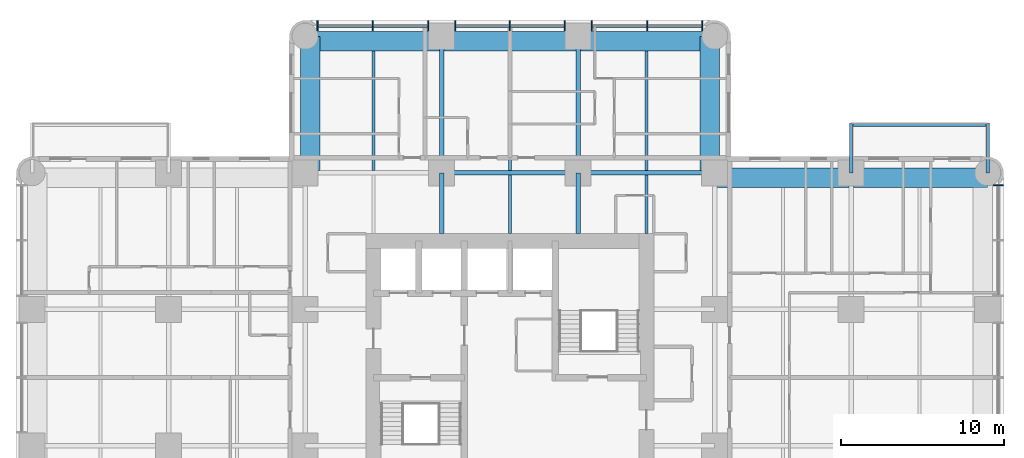
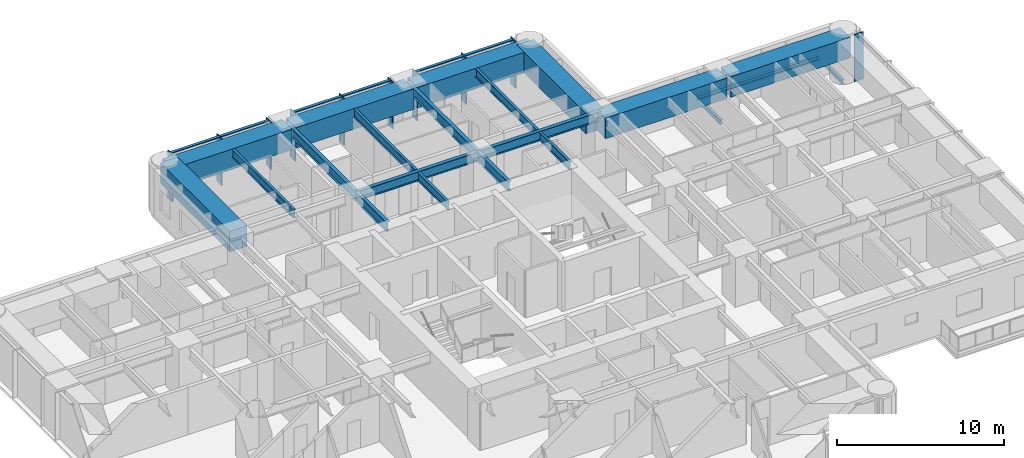
# One storey, part 4 of 14: 21 beams, 16 members, 2 elements without a shape of their own.
"""IFC4 building model written with IfcOpenShell, lengths in metres."""

from ifc_helpers import new_model, si_unit, direction, frame, origin, origin_2d, place, context, subcontext, project, spatial, rectangle, i_section, extrude, material, material_profile, profile_set, type_object, element, aggregate, save


model = new_model("IFC4")

# Units and contexts
model_context = context("Model", 3, precision=1e-05, world=origin(), true_north=direction((0.0, 1.0)))
body_context = subcontext(model_context, "Body", "Model", "MODEL_VIEW")
ifc_project = project(units=[si_unit("LENGTHUNIT", "METRE"), si_unit("AREAUNIT", "SQUARE_METRE"), si_unit("VOLUMEUNIT", "CUBIC_METRE"), si_unit("PLANEANGLEUNIT", "RADIAN"), si_unit("MASSUNIT", "GRAM", prefix="KILO")], contexts=[model_context])

# Site, building, storey
site_placement = place(None, origin())
site = spatial("IfcSite", under=ifc_project, at=site_placement, CompositionType="ELEMENT")
building_placement = place(site_placement, origin())
building = spatial("IfcBuilding", under=site, at=building_placement, Name="Torre Alcanfor", CompositionType="ELEMENT")
storey_placement = place(building_placement, frame((0.0, 0.0, 130.5)))
storey = spatial("IfcBuildingStorey", under=building, at=storey_placement, Name="L33", CompositionType="ELEMENT", Elevation=130.5)

# Beams
ifc_material_1 = material(Name="Steel ASTM A992 Grade 50", Category="steel")
ifc_material_profile_1 = material_profile(ifc_material_1, i_section(OverallWidth=0.205322265625, OverallDepth=0.309814453125, WebThickness=0.00927734375, FlangeThickness=0.016357421875, at=origin_2d()), Name="W12x50")
ifc_profile_set_1 = profile_set([ifc_material_profile_1], Name="Steel ASTM A992 Grade 50")
beam_type_1 = type_object("IfcBeamType", Name="Balcony cantilever beam W12x50", PredefinedType="BEAM", material=ifc_profile_set_1)
for number, where, z_axis, x_axis, name in (
    (1, (50.39990234375, 42.0, -0.35498046875), (0.0, 1.0, 0.0), (-1.0, 0.0, 0.0), "Balcony cantilever beam L33-E1 1"),
    (2, (58.800048828125, 42.0, -0.35498046875), (0.0, 1.0, 0.0), (-1.0, 0.0, 0.0), "Balcony cantilever beam L33-E1 2"),
):
    element("IfcBeam", number, at=place(storey_placement, frame(where, z_axis=z_axis, x_axis=x_axis)), inside=storey, type_object=beam_type_1, Name=name, PredefinedType="BEAM", context=body_context, shape_type="SweptSolid", body=[
        extrude(i_section(OverallWidth=0.205322265625, OverallDepth=0.309814453125, WebThickness=0.00927734375, FlangeThickness=0.016357421875, at=origin_2d()), origin(), (0.0, 0.0, 1.0), 3.050048828125),
    ])
ifc_material_2 = material(Name="Steel ASTM A992 Grade 50", Category="steel")
ifc_material_profile_2 = material_profile(ifc_material_2, i_section(OverallWidth=0.203369140625, OverallDepth=0.30224609375, WebThickness=0.007568359375, FlangeThickness=0.01318359375, at=origin_2d()), Name="W12x40")
ifc_profile_set_2 = profile_set([ifc_material_profile_2], Name="Steel ASTM A992 Grade 50")
beam_type_2 = type_object("IfcBeamType", Name="Balcony edge trimmer W12x40", PredefinedType="BEAM", material=ifc_profile_set_2)
beam_1_placement = place(storey_placement, frame((50.39990234375, 44.9482421875, -0.35107421875), z_axis=(1.0, 0.0, 0.0), x_axis=(0.0, 1.0, 0.0)))
element("IfcBeam", 3, at=beam_1_placement, inside=storey, type_object=beam_type_2, Name="Balcony edge trimmer L33-E1", PredefinedType="BEAM", context=body_context, shape_type="SweptSolid", body=[
    extrude(i_section(OverallWidth=0.203369140625, OverallDepth=0.30224609375, WebThickness=0.007568359375, FlangeThickness=0.01318359375, at=origin_2d()), origin(), (0.0, 0.0, 1.0), 8.400146484375),
])

# Curtain wall, member
ifc_material_3 = material(Name="Aluminium and glass", Category="aluminium")
curtain_wall_type = type_object("IfcCurtainWallType", Name="CW-A unitised apartment glazing with vertical FIN", PredefinedType="NOTDEFINED", material=ifc_material_3)
curtain_wall_1_placement = place(storey_placement, origin())
curtain_wall_1 = element("IfcCurtainWall", 4, at=curtain_wall_1_placement, inside=storey, type_object=curtain_wall_type, Name="Curtain wall CW-A L33 8", PredefinedType="NOTDEFINED")
ifc_material_4 = material(Name="Bronze anodised aluminium", Category="aluminium")
ifc_material_profile_3 = material_profile(ifc_material_4, rectangle(XDim=0.60009765625, YDim=0.06494140625, at=origin_2d()), Name="CW-A mullion 65x600")
ifc_profile_set_3 = profile_set([ifc_material_profile_3], Name="Bronze anodised aluminium")
member_type_1 = type_object("IfcMemberType", Name="CW-A mullion with vertical FIN 65x600", PredefinedType="MULLION", material=ifc_profile_set_3)
member_1_placement = place(storey_placement, frame((59.449951171875, 41.24267578125, 0.0), z_axis=(0.0, 0.0, 1.0), x_axis=(-1.0, 0.0, 0.0)))
member_1 = element("IfcMember", 5, at=member_1_placement, type_object=member_type_1, Name="CW-A mullion 3.3", PredefinedType="MULLION", context=body_context, shape_type="SweptSolid", body=[
    extrude(rectangle(XDim=0.60009765625, YDim=0.06494140625, at=origin_2d()), origin(), (0.0, 0.0, 1.0), 3.449951171875),
])
aggregate(curtain_wall_1, [member_1])

# Curtain wall, members
curtain_wall_2_placement = place(storey_placement, origin())
curtain_wall_2 = element("IfcCurtainWall", 6, at=curtain_wall_2_placement, inside=storey, type_object=curtain_wall_type, Name="Curtain wall CW-A L33 11", PredefinedType="NOTDEFINED")
member_2_placement = place(storey_placement, frame((41.24267578125, 51.050048828125, 0.0), z_axis=(0.0, 0.0, 1.0), x_axis=(0.0, -1.0, 0.0)))
member_2 = element("IfcMember", 7, at=member_2_placement, type_object=member_type_1, Name="CW-A mullion 1.1", PredefinedType="MULLION", context=body_context, shape_type="SweptSolid", body=[
    extrude(rectangle(XDim=0.60009765625, YDim=0.06494140625, at=origin_2d()), origin(), (0.0, 0.0, 1.0), 3.449951171875),
])
member_3_placement = place(storey_placement, frame((37.840087890625, 51.050048828125, 0.0), z_axis=(0.0, 0.0, 1.0), x_axis=(0.0, -1.0, 0.0)))
member_3 = element("IfcMember", 8, at=member_3_placement, type_object=member_type_1, Name="CW-A mullion 1.2", PredefinedType="MULLION", context=body_context, shape_type="SweptSolid", body=[
    extrude(rectangle(XDim=0.60009765625, YDim=0.06494140625, at=origin_2d()), origin(), (0.0, 0.0, 1.0), 3.449951171875),
])
member_4_placement = place(storey_placement, frame((34.4375, 51.050048828125, 0.0), z_axis=(0.0, 0.0, 1.0), x_axis=(0.0, -1.0, 0.0)))
member_4 = element("IfcMember", 9, at=member_4_placement, type_object=member_type_1, Name="CW-A mullion 1.3", PredefinedType="MULLION", context=body_context, shape_type="SweptSolid", body=[
    extrude(rectangle(XDim=0.60009765625, YDim=0.06494140625, at=origin_2d()), origin(), (0.0, 0.0, 1.0), 3.449951171875),
])
member_5_placement = place(storey_placement, frame((32.762451171875, 51.050048828125, 0.0), z_axis=(0.0, 0.0, 1.0), x_axis=(0.0, -1.0, 0.0)))
member_5 = element("IfcMember", 10, at=member_5_placement, type_object=member_type_1, Name="CW-A mullion 2.1", PredefinedType="MULLION", context=body_context, shape_type="SweptSolid", body=[
    extrude(rectangle(XDim=0.60009765625, YDim=0.06494140625, at=origin_2d()), origin(), (0.0, 0.0, 1.0), 3.449951171875),
])
member_6_placement = place(storey_placement, frame((29.39990234375, 51.050048828125, 0.0), z_axis=(0.0, 0.0, 1.0), x_axis=(0.0, -1.0, 0.0)))
member_6 = element("IfcMember", 11, at=member_6_placement, type_object=member_type_1, Name="CW-A mullion 2.2", PredefinedType="MULLION", context=body_context, shape_type="SweptSolid", body=[
    extrude(rectangle(XDim=0.60009765625, YDim=0.06494140625, at=origin_2d()), origin(), (0.0, 0.0, 1.0), 3.449951171875),
])
member_7_placement = place(storey_placement, frame((26.03759765625, 51.050048828125, 0.0), z_axis=(0.0, 0.0, 1.0), x_axis=(0.0, -1.0, 0.0)))
member_7 = element("IfcMember", 12, at=member_7_placement, type_object=member_type_1, Name="CW-A mullion 2.3", PredefinedType="MULLION", context=body_context, shape_type="SweptSolid", body=[
    extrude(rectangle(XDim=0.60009765625, YDim=0.06494140625, at=origin_2d()), origin(), (0.0, 0.0, 1.0), 3.449951171875),
])
member_8_placement = place(storey_placement, frame((24.362548828125, 51.050048828125, 0.0), z_axis=(0.0, 0.0, 1.0), x_axis=(0.0, -1.0, 0.0)))
member_8 = element("IfcMember", 13, at=member_8_placement, type_object=member_type_1, Name="CW-A mullion 3.1", PredefinedType="MULLION", context=body_context, shape_type="SweptSolid", body=[
    extrude(rectangle(XDim=0.60009765625, YDim=0.06494140625, at=origin_2d()), origin(), (0.0, 0.0, 1.0), 3.449951171875),
])
member_9_placement = place(storey_placement, frame((20.9599609375, 51.050048828125, 0.0), z_axis=(0.0, 0.0, 1.0), x_axis=(0.0, -1.0, 0.0)))
member_9 = element("IfcMember", 14, at=member_9_placement, type_object=member_type_1, Name="CW-A mullion 3.2", PredefinedType="MULLION", context=body_context, shape_type="SweptSolid", body=[
    extrude(rectangle(XDim=0.60009765625, YDim=0.06494140625, at=origin_2d()), origin(), (0.0, 0.0, 1.0), 3.449951171875),
])
member_10_placement = place(storey_placement, frame((17.557373046875, 51.050048828125, 0.0), z_axis=(0.0, 0.0, 1.0), x_axis=(0.0, -1.0, 0.0)))
member_10 = element("IfcMember", 15, at=member_10_placement, type_object=member_type_1, Name="CW-A mullion 3.3", PredefinedType="MULLION", context=body_context, shape_type="SweptSolid", body=[
    extrude(rectangle(XDim=0.60009765625, YDim=0.06494140625, at=origin_2d()), origin(), (0.0, 0.0, 1.0), 3.449951171875),
])
ifc_material_5 = material(Name="Extruded aluminium", Category="aluminium")
ifc_material_profile_4 = material_profile(ifc_material_5, rectangle(XDim=0.199951171875, YDim=0.06494140625, at=origin_2d()), Name="CW-A transom 200x65")
ifc_profile_set_4 = profile_set([ifc_material_profile_4], Name="Extruded aluminium")
member_type_2 = type_object("IfcMemberType", Name="CW-A transom 65x200", PredefinedType="USERDEFINED", material=ifc_profile_set_4)
member_11_placement = place(storey_placement, frame((41.210205078125, 51.050048828125, 3.41748046875), z_axis=(-1.0, 0.0, 0.0), x_axis=(0.0, -1.0, 0.0)))
member_11 = element("IfcMember", 16, at=member_11_placement, type_object=member_type_2, Name="CW-A transom 1.1.2", ObjectType="TRANSOM", PredefinedType="USERDEFINED", context=body_context, shape_type="SweptSolid", body=[
    extrude(rectangle(XDim=0.199951171875, YDim=0.06494140625, at=origin_2d()), origin(), (0.0, 0.0, 1.0), 3.337646484375),
])
member_12_placement = place(storey_placement, frame((37.8076171875, 51.050048828125, 3.41748046875), z_axis=(-1.0, 0.0, 0.0), x_axis=(0.0, -1.0, 0.0)))
member_12 = element("IfcMember", 17, at=member_12_placement, type_object=member_type_2, Name="CW-A transom 1.2.2", ObjectType="TRANSOM", PredefinedType="USERDEFINED", context=body_context, shape_type="SweptSolid", body=[
    extrude(rectangle(XDim=0.199951171875, YDim=0.06494140625, at=origin_2d()), origin(), (0.0, 0.0, 1.0), 3.337646484375),
])
member_13_placement = place(storey_placement, frame((32.72998046875, 51.050048828125, 3.41748046875), z_axis=(-1.0, 0.0, 0.0), x_axis=(0.0, -1.0, 0.0)))
member_13 = element("IfcMember", 18, at=member_13_placement, type_object=member_type_2, Name="CW-A transom 2.1.2", ObjectType="TRANSOM", PredefinedType="USERDEFINED", context=body_context, shape_type="SweptSolid", body=[
    extrude(rectangle(XDim=0.199951171875, YDim=0.06494140625, at=origin_2d()), origin(), (0.0, 0.0, 1.0), 3.29736328125),
])
member_14_placement = place(storey_placement, frame((29.367431640625, 51.050048828125, 3.41748046875), z_axis=(-1.0, 0.0, 0.0), x_axis=(0.0, -1.0, 0.0)))
member_14 = element("IfcMember", 19, at=member_14_placement, type_object=member_type_2, Name="CW-A transom 2.2.2", ObjectType="TRANSOM", PredefinedType="USERDEFINED", context=body_context, shape_type="SweptSolid", body=[
    extrude(rectangle(XDim=0.199951171875, YDim=0.06494140625, at=origin_2d()), origin(), (0.0, 0.0, 1.0), 3.29736328125),
])
member_15_placement = place(storey_placement, frame((24.330078125, 51.050048828125, 3.41748046875), z_axis=(-1.0, 0.0, 0.0), x_axis=(0.0, -1.0, 0.0)))
member_15 = element("IfcMember", 20, at=member_15_placement, type_object=member_type_2, Name="CW-A transom 3.1.2", ObjectType="TRANSOM", PredefinedType="USERDEFINED", context=body_context, shape_type="SweptSolid", body=[
    extrude(rectangle(XDim=0.199951171875, YDim=0.06494140625, at=origin_2d()), origin(), (0.0, 0.0, 1.0), 3.337646484375),
])
member_16_placement = place(storey_placement, frame((20.927490234375, 51.050048828125, 3.41748046875), z_axis=(-1.0, 0.0, 0.0), x_axis=(0.0, -1.0, 0.0)))
member_16 = element("IfcMember", 21, at=member_16_placement, type_object=member_type_2, Name="CW-A transom 3.2.2", ObjectType="TRANSOM", PredefinedType="USERDEFINED", context=body_context, shape_type="SweptSolid", body=[
    extrude(rectangle(XDim=0.199951171875, YDim=0.06494140625, at=origin_2d()), origin(), (0.0, 0.0, 1.0), 3.337646484375),
])
aggregate(curtain_wall_2, [member_2, member_3, member_4, member_11, member_12, member_5, member_6, member_7, member_13, member_14, member_8, member_9, member_10, member_15, member_16])

# Beams
ifc_material_6 = material(Name="Steel ASTM A992 Grade 50", Category="steel")
ifc_material_profile_5 = material_profile(ifc_material_6, i_section(OverallWidth=0.25390625, OverallDepth=0.683349609375, WebThickness=0.012451171875, FlangeThickness=0.01904296875, at=origin_2d()), Name="W27x94")
ifc_profile_set_5 = profile_set([ifc_material_profile_5], Name="Steel ASTM A992 Grade 50")
beam_type_3 = type_object("IfcBeamType", Name="Girder W27x94", PredefinedType="BEAM", material=ifc_profile_set_5)
beam_2_placement = place(storey_placement, frame((25.199951171875, 42.0, 3.1083984375), z_axis=(1.0, 0.0, 0.0), x_axis=(0.0, 1.0, 0.0)))
element("IfcBeam", 22, at=beam_2_placement, inside=storey, type_object=beam_type_3, Name="Beam 4H-5H under L34", PredefinedType="BEAM", context=body_context, shape_type="SweptSolid", body=[
    extrude(i_section(OverallWidth=0.25390625, OverallDepth=0.683349609375, WebThickness=0.012451171875, FlangeThickness=0.01904296875, at=origin_2d()), origin(), (0.0, 0.0, 1.0), 8.400146484375),
])
for number, where, z_axis, x_axis, name in (
    (23, (33.60009765625, 42.0, 3.1083984375), (1.0, 0.0, 0.0), (0.0, 1.0, 0.0), "Beam 5H-6H under L34"),
    (24, (25.199951171875, 42.0, 3.1083984375), (0.0, 1.0, 0.0), (-1.0, 0.0, 0.0), "Beam 4H-4J under L34"),
    (25, (33.60009765625, 42.0, 3.1083984375), (0.0, 1.0, 0.0), (-1.0, 0.0, 0.0), "Beam 5H-5J under L34"),
):
    element("IfcBeam", number, at=place(storey_placement, frame(where, z_axis=z_axis, x_axis=x_axis)), inside=storey, type_object=beam_type_3, Name=name, PredefinedType="BEAM", context=body_context, shape_type="SweptSolid", body=[
        extrude(i_section(OverallWidth=0.25390625, OverallDepth=0.683349609375, WebThickness=0.012451171875, FlangeThickness=0.01904296875, at=origin_2d()), origin(), (0.0, 0.0, 1.0), 8.39990234375),
    ])
ifc_material_7 = material(Name="Steel ASTM A992 Grade 50", Category="steel")
ifc_material_profile_6 = material_profile(ifc_material_7, i_section(OverallWidth=0.25390625, OverallDepth=0.683349609375, WebThickness=0.012451171875, FlangeThickness=0.01904296875, at=origin_2d()), Name="W27x94")
ifc_profile_set_6 = profile_set([ifc_material_profile_6], Name="Steel ASTM A992 Grade 50")
beam_type_4 = type_object("IfcBeamType", Name="Girder, part bay W27x94", PredefinedType="BEAM", material=ifc_profile_set_6)
for number, where, z_axis, x_axis, name in (
    (26, (25.199951171875, 42.0, 3.1083984375), (0.0, -1.0, 0.0), (1.0, 0.0, 0.0), "Beam 4H-438_25 under L34"),
    (27, (33.60009765625, 42.0, 3.1083984375), (0.0, -1.0, 0.0), (1.0, 0.0, 0.0), "Beam 5H-538_25 under L34"),
):
    element("IfcBeam", number, at=place(storey_placement, frame(where, z_axis=z_axis, x_axis=x_axis)), inside=storey, type_object=beam_type_4, Name=name, PredefinedType="BEAM", context=body_context, shape_type="SweptSolid", body=[
        extrude(i_section(OverallWidth=0.25390625, OverallDepth=0.683349609375, WebThickness=0.012451171875, FlangeThickness=0.01904296875, at=origin_2d()), origin(), (0.0, 0.0, 1.0), 3.75),
    ])
ifc_material_8 = material(Name="Concrete f'c 70 MPa", Category="concrete")
ifc_material_profile_7 = material_profile(ifc_material_8, rectangle(XDim=1.199951171875, YDim=1.5, at=origin_2d()), Name="1200x1500")
ifc_profile_set_7 = profile_set([ifc_material_profile_7], Name="Concrete f'c 70 MPa")
beam_type_5 = type_object("IfcBeamType", Name="RC perimeter beam 1200x1500", PredefinedType="BEAM", material=ifc_profile_set_7)
beam_3_placement = place(storey_placement, frame((41.873046875, 41.699951171875, 2.699951171875), z_axis=(1.0, 0.0, 0.0), x_axis=(0.0, 1.0, 0.0)))
element("IfcBeam", 28, at=beam_3_placement, inside=storey, type_object=beam_type_5, Name="Beam 6H-7H under L34", PredefinedType="BEAM", context=body_context, shape_type="SweptSolid", body=[
    extrude(rectangle(XDim=1.199951171875, YDim=1.5, at=origin_2d()), origin(), (0.0, 0.0, 1.0), 8.39990234375),
])
for number, where, z_axis, x_axis, name in (
    (29, (50.527099609375, 41.699951171875, 2.699951171875), (1.0, 0.0, 0.0), (0.0, 1.0, 0.0), "Beam 7H-8H under L34"),
    (30, (16.800048828125, 50.10009765625, 2.699951171875), (1.0, 0.0, 0.0), (0.0, 1.0, 0.0), "Beam 3J-4J under L34"),
):
    element("IfcBeam", number, at=place(storey_placement, frame(where, z_axis=z_axis, x_axis=x_axis)), inside=storey, type_object=beam_type_5, Name=name, PredefinedType="BEAM", context=body_context, shape_type="SweptSolid", body=[
        extrude(rectangle(XDim=1.199951171875, YDim=1.5, at=origin_2d()), origin(), (0.0, 0.0, 1.0), 8.27294921875),
    ])
beam_4_placement = place(storey_placement, frame((25.326904296875, 50.10009765625, 2.699951171875), z_axis=(1.0, 0.0, 0.0), x_axis=(0.0, 1.0, 0.0)))
element("IfcBeam", 31, at=beam_4_placement, inside=storey, type_object=beam_type_5, Name="Beam 4J-5J under L34", PredefinedType="BEAM", context=body_context, shape_type="SweptSolid", body=[
    extrude(rectangle(XDim=1.199951171875, YDim=1.5, at=origin_2d()), origin(), (0.0, 0.0, 1.0), 8.14599609375),
])
for number, where, z_axis, x_axis, name in (
    (32, (33.72705078125, 50.10009765625, 2.699951171875), (1.0, 0.0, 0.0), (0.0, 1.0, 0.0), "Beam 5J-6J under L34"),
    (33, (17.10009765625, 42.126953125, 2.699951171875), (0.0, 1.0, 0.0), (-1.0, 0.0, 0.0), "Beam 3H-3J under L34"),
    (34, (41.699951171875, 42.126953125, 2.699951171875), (0.0, 1.0, 0.0), (-1.0, 0.0, 0.0), "Beam 6H-6J under L34"),
):
    element("IfcBeam", number, at=place(storey_placement, frame(where, z_axis=z_axis, x_axis=x_axis)), inside=storey, type_object=beam_type_5, Name=name, PredefinedType="BEAM", context=body_context, shape_type="SweptSolid", body=[
        extrude(rectangle(XDim=1.199951171875, YDim=1.5, at=origin_2d()), origin(), (0.0, 0.0, 1.0), 8.27294921875),
    ])
ifc_material_9 = material(Name="Steel ASTM A992 Grade 50", Category="steel")
ifc_material_profile_8 = material_profile(ifc_material_9, i_section(OverallWidth=0.1787109375, OverallDepth=0.60205078125, WebThickness=0.010986328125, FlangeThickness=0.014892578125, at=origin_2d()), Name="W24x62")
ifc_profile_set_8 = profile_set([ifc_material_profile_8], Name="Steel ASTM A992 Grade 50")
beam_type_6 = type_object("IfcBeamType", Name="Secondary beam W24x62", PredefinedType="BEAM", material=ifc_profile_set_8)
for number, where, z_axis, x_axis, name in (
    (35, (21.0, 42.126953125, 3.14892578125), (0.0, 1.0, 0.0), (-1.0, 0.0, 0.0), "Beam 21H-21J under L34"),
    (36, (29.39990234375, 42.126953125, 3.14892578125), (0.0, 1.0, 0.0), (-1.0, 0.0, 0.0), "Beam 29_4H-29_4J under L34"),
    (37, (37.800048828125, 42.126953125, 3.14892578125), (0.0, 1.0, 0.0), (-1.0, 0.0, 0.0), "Beam 37_8H-37_8J under L34"),
):
    element("IfcBeam", number, at=place(storey_placement, frame(where, z_axis=z_axis, x_axis=x_axis)), inside=storey, type_object=beam_type_6, Name=name, PredefinedType="BEAM", context=body_context, shape_type="SweptSolid", body=[
        extrude(i_section(OverallWidth=0.1787109375, OverallDepth=0.60205078125, WebThickness=0.010986328125, FlangeThickness=0.014892578125, at=origin_2d()), origin(), (0.0, 0.0, 1.0), 7.373046875),
    ])
ifc_material_10 = material(Name="Steel ASTM A992 Grade 50", Category="steel")
ifc_material_profile_9 = material_profile(ifc_material_10, i_section(OverallWidth=0.1787109375, OverallDepth=0.60205078125, WebThickness=0.010986328125, FlangeThickness=0.014892578125, at=origin_2d()), Name="W24x62")
ifc_profile_set_9 = profile_set([ifc_material_profile_9], Name="Steel ASTM A992 Grade 50")
beam_type_7 = type_object("IfcBeamType", Name="Secondary beam, part bay W24x62", PredefinedType="BEAM", material=ifc_profile_set_9)
for number, where, z_axis, x_axis, name in (
    (38, (29.39990234375, 38.25, 3.14892578125), (0.0, 1.0, 0.0), (-1.0, 0.0, 0.0), "Beam 29_438_25-29_4H under L34"),
    (39, (37.800048828125, 38.25, 3.14892578125), (0.0, 1.0, 0.0), (-1.0, 0.0, 0.0), "Beam 37_838_25-37_8H under L34"),
):
    element("IfcBeam", number, at=place(storey_placement, frame(where, z_axis=z_axis, x_axis=x_axis)), inside=storey, type_object=beam_type_7, Name=name, PredefinedType="BEAM", context=body_context, shape_type="SweptSolid", body=[
        extrude(i_section(OverallWidth=0.1787109375, OverallDepth=0.60205078125, WebThickness=0.010986328125, FlangeThickness=0.014892578125, at=origin_2d()), origin(), (0.0, 0.0, 1.0), 3.623046875),
    ])

save(model, "model.ifc")
